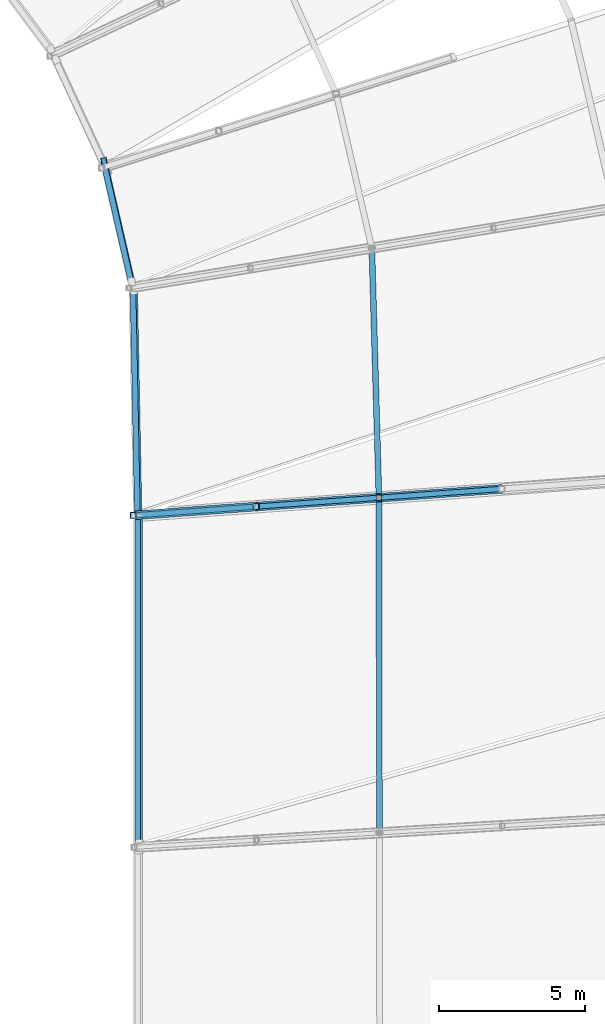
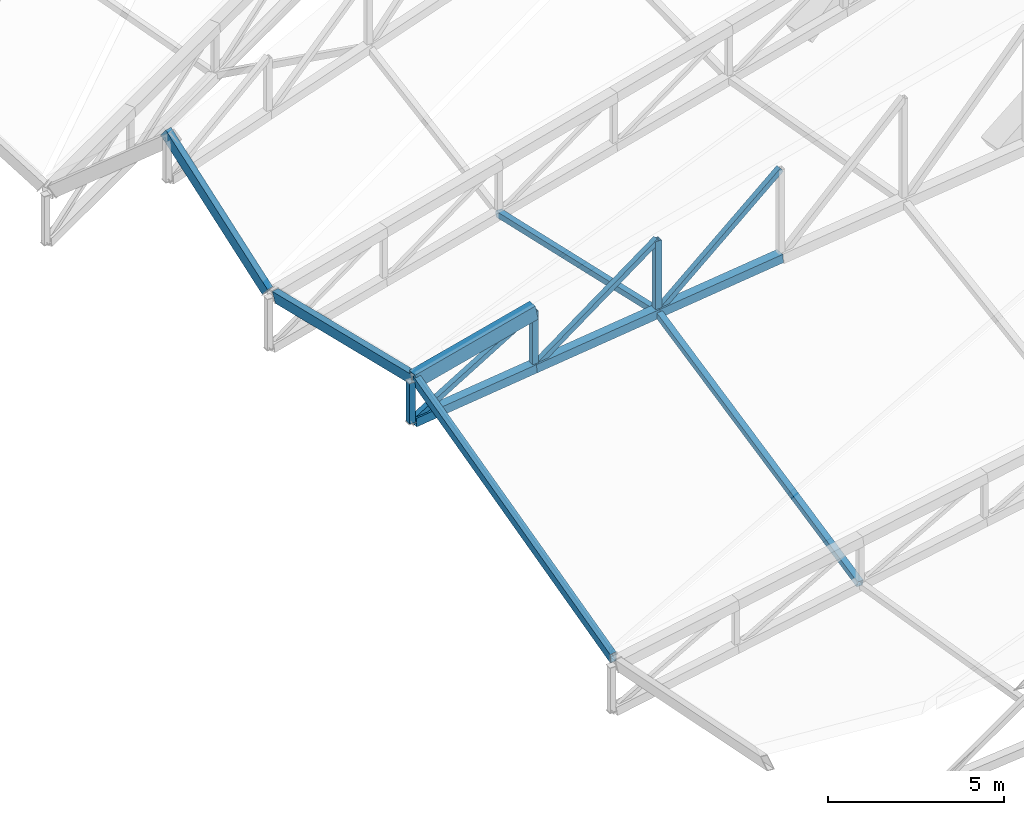
# One storey, part 175 of 344: 12 members, 3 beams.
"""IFC4 building model written with IfcOpenShell, lengths in metres."""

import ifcopenshell
import ifcopenshell.guid

model = None  # the IFC model being written
_history = None  # IfcOwnerHistory: only IFC2X3 demands one
_inside = {}  # id of a spatial element -> (the spatial element, [elements in it])
_under = {}  # id of a project, library or spatial element -> (it, [spatial elements below it])
_declared = {}  # id of a project -> (the project, [libraries it declares])
_typed = {}  # id of a type object -> (the type object, [elements of that type])
_made_of = {}  # id of a material, layer set ... -> (it, [elements and type objects made of it])


def new_model(schema):
    """Start an empty IFC model of exactly this schema.

    Asked for "IFC4X3", IfcOpenShell would pick the latest addendum, in which some entities
    have other attributes; the version numbers below select the first issue.
    IFC2X3 requires an IfcOwnerHistory on every rooted entity: one is made here for all.
    """
    global model, _history
    if schema == "IFC4X3":
        model = ifcopenshell.file(schema_version=(4, 3, 0, 0))
    else:
        model = ifcopenshell.file(schema=schema)
    _inside.clear()
    _under.clear()
    _declared.clear()
    _typed.clear()
    _made_of.clear()
    _history = None
    if model.schema == "IFC2X3":
        org = make("IfcOrganization", Name="unknown")
        user = make(
            "IfcPersonAndOrganization",
            ThePerson=make("IfcPerson", FamilyName="unknown"),
            TheOrganization=org,
        )
        app = make(
            "IfcApplication",
            ApplicationDeveloper=org,
            Version="unknown",
            ApplicationFullName="unknown",
            ApplicationIdentifier="unknown",
        )
        _history = make(
            "IfcOwnerHistory",
            OwningUser=user,
            OwningApplication=app,
            ChangeAction="ADDED",
            CreationDate=0,
        )
    return model


def make(cls, **values):
    """One entity of the class cls with the attributes given. An attribute that is None is left unset."""
    return model.create_entity(
        cls, **{name: value for name, value in values.items() if value is not None}
    )


def rooted(cls, **values):
    """An entity with a GlobalId (a new one), such as an element, a storey or a relation."""
    return make(cls, GlobalId=ifcopenshell.guid.new(), OwnerHistory=_history, **values)


def si_unit(unit_type, name, prefix=None):
    """IfcSIUnit, for example si_unit("LENGTHUNIT", "METRE", prefix="MILLI")."""
    return make("IfcSIUnit", UnitType=unit_type, Prefix=prefix, Name=name)


def assignment(units):
    """IfcUnitAssignment: the units of a project."""
    return None if units is None else make("IfcUnitAssignment", Units=units)


def point(xyz):
    """IfcCartesianPoint."""
    return None if xyz is None else make("IfcCartesianPoint", Coordinates=xyz)


def direction(xyz):
    """IfcDirection."""
    return None if xyz is None else make("IfcDirection", DirectionRatios=xyz)


def frame(location, z_axis=None, x_axis=None):
    """IfcAxis2Placement3D, a coordinate frame: its origin and axes. An axis left out is left unset."""
    return make(
        "IfcAxis2Placement3D",
        Location=point(location),
        Axis=direction(z_axis),
        RefDirection=direction(x_axis),
    )


def frame_2d(location, x_axis=None):
    """IfcAxis2Placement2D, a coordinate frame in the plane: its origin and x axis."""
    return make(
        "IfcAxis2Placement2D", Location=point(location), RefDirection=direction(x_axis)
    )


def origin():
    """The frame at (0, 0, 0) with its axes left unset."""
    return frame((0.0, 0.0, 0.0))


def origin_2d():
    """The frame at (0, 0) in the plane with its x axis left unset."""
    return frame_2d((0.0, 0.0))


def place(relative_to, where):
    """IfcLocalPlacement: puts the frame where relative to a parent placement (None: the world)."""
    return make(
        "IfcLocalPlacement", PlacementRelTo=relative_to, RelativePlacement=where
    )


def context(
    kind, dimensions, precision=None, world=None, true_north=None, identifier=None
):
    """IfcGeometricRepresentationContext, for example the 3D "Model" context."""
    return make(
        "IfcGeometricRepresentationContext",
        ContextIdentifier=identifier,
        ContextType=kind,
        CoordinateSpaceDimension=dimensions,
        Precision=precision,
        WorldCoordinateSystem=world,
        TrueNorth=true_north,
    )


def subcontext(parent, identifier, kind, view, scale=None):
    """IfcGeometricRepresentationSubContext, for example "Body" below "Model"."""
    return make(
        "IfcGeometricRepresentationSubContext",
        ContextIdentifier=identifier,
        ContextType=kind,
        ParentContext=parent,
        TargetScale=scale,
        TargetView=view,
    )


def project(units=None, contexts=None):
    """IfcProject with its units and contexts."""
    return rooted(
        "IfcProject",
        Name="project",
        RepresentationContexts=contexts,
        UnitsInContext=assignment(units),
    )


def spatial(cls, under=None, at=None, **own):
    """A site, building, storey or space (cls), placed at a placement, below another one or the project."""
    s = rooted(cls, ObjectPlacement=at, **own)
    if under is not None:
        _under.setdefault(under.id(), (under, []))[1].append(s)
    return s


def profile(cls, at=None, kind="AREA", **sizes):
    """A parametric profile (cls). Its sizes go by their IFC names, for example OverallWidth=200.0."""
    return make(cls, ProfileType=kind, Position=at, **sizes)


def hollow_rectangle(**sizes):
    """IfcRectangleHollowProfileDef."""
    return profile("IfcRectangleHollowProfileDef", **sizes)


def extrude(swept, where, along, depth):
    """IfcExtrudedAreaSolid: the profile swept, set in the frame where, extruded along a direction by depth."""
    return make(
        "IfcExtrudedAreaSolid",
        SweptArea=swept,
        Position=where,
        ExtrudedDirection=direction(along),
        Depth=depth,
    )


def shape(context_of_items, identifier, shape_type, items):
    """IfcShapeRepresentation: the items that make up one representation, for example the "Body"."""
    return make(
        "IfcShapeRepresentation",
        ContextOfItems=context_of_items,
        RepresentationIdentifier=identifier,
        RepresentationType=shape_type,
        Items=items,
    )


def material(Name=None, Category=None):
    """IfcMaterial."""
    return make("IfcMaterial", Name=Name, Category=Category)


def material_profile(
    of_material, cross_section, Name=None, Category=None, Priority=None
):
    """IfcMaterialProfile: a cross section and its material."""
    return make(
        "IfcMaterialProfile",
        Name=Name,
        Material=of_material,
        Profile=cross_section,
        Priority=Priority,
        Category=Category,
    )


def profile_set(profiles, Name=None, composite=None):
    """IfcMaterialProfileSet."""
    return make(
        "IfcMaterialProfileSet",
        Name=Name,
        MaterialProfiles=profiles,
        CompositeProfile=composite,
    )


def made_of(thing, what):
    """Note that an element or type object is made of a material, layer set ...; save() writes the relation."""
    if what is not None:
        _made_of.setdefault(what.id(), (what, []))[1].append(thing)
    return thing


def type_object(cls, material=None, **own):
    """A type object (cls), such as IfcWallType, which elements share."""
    return made_of(rooted(cls, **own), material)


def element(
    cls,
    number,
    at=None,
    inside=None,
    cuts=None,
    type_object=None,
    material=None,
    context=None,
    identifier="Body",
    shape_type=None,
    held_by="IfcProductDefinitionShape",
    body=None,
    shapes=None,
    **own,
):
    """One element of the class cls, such as IfcWall. Its Tag is "e" and its number.

    at: its placement. inside: the storey or other place that contains it. cuts: it is an
    opening in that element (IfcRelVoidsElement). A single representation is given by context,
    identifier, shape_type and body (its items); several are given by shapes. held_by: the class
    of the entity that holds the representations. save() writes the other relations.
    """
    e = rooted(cls, Tag="e%d" % number, ObjectPlacement=at, **own)
    if body is not None:
        shapes = [shape(context, identifier, shape_type, body)]
    if shapes is not None:
        e.Representation = make(held_by, Representations=shapes)
    if inside is not None:
        _inside.setdefault(inside.id(), (inside, []))[1].append(e)
    if cuts is not None:
        rooted(
            "IfcRelVoidsElement", RelatingBuildingElement=cuts, RelatedOpeningElement=e
        )
    if type_object is not None:
        _typed.setdefault(type_object.id(), (type_object, []))[1].append(e)
    return made_of(e, material)


def aggregate(whole, parts):
    """IfcRelAggregates: a whole, such as a stair, and the parts it consists of."""
    return rooted("IfcRelAggregates", RelatingObject=whole, RelatedObjects=parts)


def save(model, path):
    """Write the relations noted so far, then the file.

    IfcRelAggregates (storeys below a building ...), IfcRelContainedInSpatialStructure (elements
    in a storey), IfcRelDefinesByType, IfcRelAssociatesMaterial and IfcRelDeclares: one each for
    every whole, place, type object, material and project.
    """
    for whole, parts in _under.values():
        aggregate(whole, parts)
    for where, things in _inside.values():
        rooted(
            "IfcRelContainedInSpatialStructure",
            RelatedElements=things,
            RelatingStructure=where,
        )
    for kind, things in _typed.values():
        rooted("IfcRelDefinesByType", RelatedObjects=things, RelatingType=kind)
    for what, things in _made_of.values():
        rooted("IfcRelAssociatesMaterial", RelatedObjects=things, RelatingMaterial=what)
    for by, libraries in _declared.values():
        rooted("IfcRelDeclares", RelatingContext=by, RelatedDefinitions=libraries)
    model.write(path)


model = new_model("IFC4")

# Units and contexts
model_context = context("Model", 3, precision=1e-05, world=origin(), true_north=direction((0.0, 1.0)))
body_context = subcontext(model_context, "Body", "Model", "MODEL_VIEW")
ifc_project = project(units=[si_unit("LENGTHUNIT", "METRE"), si_unit("AREAUNIT", "SQUARE_METRE"), si_unit("VOLUMEUNIT", "CUBIC_METRE"), si_unit("PLANEANGLEUNIT", "RADIAN"), si_unit("MASSUNIT", "GRAM", prefix="KILO")], contexts=[model_context])

# Site, building, storey
site_placement = place(None, origin())
site = spatial("IfcSite", under=ifc_project, at=site_placement, CompositionType="ELEMENT")
building_placement = place(site_placement, origin())
building = spatial("IfcBuilding", under=site, at=building_placement, Name="Meseta Stadium", CompositionType="ELEMENT")
storey_placement = place(building_placement, frame((0.0, 0.0, 24.0)))
storey = spatial("IfcBuildingStorey", under=building, at=storey_placement, Name="L04", CompositionType="ELEMENT", Elevation=24.0)

# Beams
ifc_material_1 = material(Name="Steel S355", Category="steel")
ifc_material_profile_1 = material_profile(ifc_material_1, hollow_rectangle(XDim=0.199951171875, YDim=0.39990234375, WallThickness=0.01611328125, at=origin_2d()), Name="RHS 400x200x16")
ifc_profile_set_1 = profile_set([ifc_material_profile_1], Name="Steel S355")
beam_type = type_object("IfcBeamType", Name="RHS 400x200x16 tip ring beam", PredefinedType="BEAM", material=ifc_profile_set_1)
beam_1_placement = place(storey_placement, frame((47.17138671875, 28.659423828125, 3.2900390625), z_axis=(-0.000719801988, 0.968430063163, 0.249284365026), x_axis=(-0.986486862905, 0.040154812952, -0.158843508876)))
element("IfcBeam", 1, at=beam_1_placement, inside=storey, type_object=beam_type, Name="TIP RING BEAM 08", PredefinedType="BEAM", context=body_context, shape_type="SweptSolid", body=[
    extrude(hollow_rectangle(XDim=0.199951171875, YDim=0.39990234375, WallThickness=0.01611328125, at=origin_2d()), origin(), (0.0, 0.0, 1.0), 11.531982421875),
])
beam_2_placement = place(storey_placement, frame((47.14990234375, 39.860107421875, 6.160888671875), z_axis=(-0.019147324398, 0.976043479067, -0.216731416594), x_axis=(-0.989643734475, -0.049345951541, -0.134797091516)))
element("IfcBeam", 2, at=beam_2_placement, inside=storey, type_object=beam_type, Name="TIP RING BEAM 09", PredefinedType="BEAM", context=body_context, shape_type="SweptSolid", body=[
    extrude(hollow_rectangle(XDim=0.199951171875, YDim=0.39990234375, WallThickness=0.01611328125, at=origin_2d()), origin(), (0.0, 0.0, 1.0), 7.79052734375),
])
beam_3_placement = place(storey_placement, frame((46.92138671875, 47.84619140625, 4.44873046875), z_axis=(-0.175673366111, 0.764201722706, 0.620592132929), x_axis=(-0.982265912359, -0.178022732192, -0.058835229583)))
element("IfcBeam", 3, at=beam_3_placement, inside=storey, type_object=beam_type, Name="TIP RING BEAM 10", PredefinedType="BEAM", context=body_context, shape_type="SweptSolid", body=[
    extrude(hollow_rectangle(XDim=0.199951171875, YDim=0.39990234375, WallThickness=0.01611328125, at=origin_2d()), origin(), (0.0, 0.0, 1.0), 5.406005859375),
])

# Members
ifc_material_2 = material(Name="Steel S355", Category="steel")
ifc_material_profile_2 = material_profile(ifc_material_2, hollow_rectangle(XDim=0.300048828125, YDim=0.5, WallThickness=0.01611328125, at=origin_2d()), Name="RHS 500x300x16")
ifc_profile_set_2 = profile_set([ifc_material_profile_2], Name="Steel S355")
member_type_1 = type_object("IfcMemberType", Name="RHS 500x300x16 top chord", PredefinedType="CHORD", material=ifc_profile_set_2)
member_1_placement = place(storey_placement, frame((47.080322265625, 39.84130859375, 6.174560546875), z_axis=(0.979970819923, 0.070496476362, 0.186245641346), x_axis=(-0.071751904238, 0.997422510393, 0.0)))
element("IfcMember", 4, at=member_1_placement, inside=storey, type_object=member_type_1, Name="ROOF TRUSS RT-08 top chord", PredefinedType="CHORD", context=body_context, shape_type="SweptSolid", body=[
    extrude(hollow_rectangle(XDim=0.300048828125, YDim=0.5, WallThickness=0.01611328125, at=origin_2d()), origin(), (0.0, 0.0, 1.0), 4.197265625),
])
ifc_material_3 = material(Name="Steel S355", Category="steel")
ifc_material_profile_3 = material_profile(ifc_material_3, hollow_rectangle(XDim=0.179931640625, YDim=0.179931640625, WallThickness=0.00634765625, at=origin_2d()), Name="SHS 180x180x6.3")
ifc_profile_set_3 = profile_set([ifc_material_profile_3], Name="Steel S355")
member_type_2 = type_object("IfcMemberType", Name="SHS 180x180x6.3 diagonal", PredefinedType="BRACE", material=ifc_profile_set_3)
member_2_placement = place(storey_placement, frame((46.982421875, 39.834228515625, 4.756103515625), z_axis=(0.884524295796, 0.063638161695, 0.462133048508), x_axis=(-0.071760713601, 0.997421876632, 0.0)))
element("IfcMember", 5, at=member_2_placement, inside=storey, type_object=member_type_2, Name="ROOF TRUSS RT-08 diagonal", PredefinedType="BRACE", context=body_context, shape_type="SweptSolid", body=[
    extrude(hollow_rectangle(XDim=0.179931640625, YDim=0.179931640625, WallThickness=0.00634765625, at=origin_2d()), origin(), (0.0, 0.0, 1.0), 4.760986328125),
])
member_3_placement = place(storey_placement, frame((51.193603515625, 40.13720703125, 5.00830078125), z_axis=(0.835939275452, 0.060139167585, 0.545517010073), x_axis=(-0.07175657498, 0.997422174381, 0.0)))
element("IfcMember", 6, at=member_3_placement, inside=storey, type_object=member_type_2, Name="ROOF TRUSS RT-08 diagonal", PredefinedType="BRACE", context=body_context, shape_type="SweptSolid", body=[
    extrude(hollow_rectangle(XDim=0.179931640625, YDim=0.179931640625, WallThickness=0.00634765625, at=origin_2d()), origin(), (0.0, 0.0, 1.0), 5.037841796875),
])
member_4_placement = place(storey_placement, frame((55.405029296875, 40.440185546875, 5.26025390625), z_axis=(0.78615859924, 0.056606700693, 0.615426956086), x_axis=(-0.071818240378, 0.997417736131, 0.0)))
element("IfcMember", 7, at=member_4_placement, inside=storey, type_object=member_type_2, Name="ROOF TRUSS RT-08 diagonal", PredefinedType="BRACE", context=body_context, shape_type="SweptSolid", body=[
    extrude(hollow_rectangle(XDim=0.179931640625, YDim=0.179931640625, WallThickness=0.00634765625, at=origin_2d()), origin(), (0.0, 0.0, 1.0), 5.356689453125),
])
ifc_material_4 = material(Name="Steel S355", Category="steel")
ifc_material_profile_4 = material_profile(ifc_material_4, hollow_rectangle(XDim=0.199951171875, YDim=0.199951171875, WallThickness=0.008056640625, at=origin_2d()), Name="SHS 200x200x8")
ifc_profile_set_4 = profile_set([ifc_material_profile_4], Name="Steel S355")
member_type_3 = type_object("IfcMemberType", Name="SHS 200x200x8 post", PredefinedType="POST", material=ifc_profile_set_4)
member_5_placement = place(storey_placement, frame((51.193603515625, 40.13720703125, 5.00830078125), z_axis=(0.0, 0.0, 1.0), x_axis=(1.0, 0.0, 0.0)))
element("IfcMember", 8, at=member_5_placement, inside=storey, type_object=member_type_3, Name="ROOF TRUSS RT-08 post", PredefinedType="POST", context=body_context, shape_type="SweptSolid", body=[
    extrude(hollow_rectangle(XDim=0.199951171875, YDim=0.199951171875, WallThickness=0.008056640625, at=origin_2d()), origin(), (0.0, 0.0, 1.0), 1.947998046875),
])
member_6_placement = place(storey_placement, frame((55.405029296875, 40.440185546875, 5.26025390625), z_axis=(0.0, 0.0, 1.0), x_axis=(1.0, 0.0, 0.0)))
element("IfcMember", 9, at=member_6_placement, inside=storey, type_object=member_type_3, Name="ROOF TRUSS RT-08 post", PredefinedType="POST", context=body_context, shape_type="SweptSolid", body=[
    extrude(hollow_rectangle(XDim=0.199951171875, YDim=0.199951171875, WallThickness=0.008056640625, at=origin_2d()), origin(), (0.0, 0.0, 1.0), 2.496337890625),
])
ifc_material_5 = material(Name="Steel S355", Category="steel")
ifc_material_profile_5 = material_profile(ifc_material_5, hollow_rectangle(XDim=0.199951171875, YDim=0.199951171875, WallThickness=0.008056640625, at=origin_2d()), Name="SHS 200x200x8")
ifc_profile_set_5 = profile_set([ifc_material_profile_5], Name="Steel S355")
member_type_4 = type_object("IfcMemberType", Name="SHS 200x200x8 rim post", PredefinedType="POST", material=ifc_profile_set_5)
member_7_placement = place(storey_placement, frame((46.982421875, 39.834228515625, 4.756103515625), z_axis=(0.0, 0.0, 1.0), x_axis=(1.0, 0.0, 0.0)))
element("IfcMember", 10, at=member_7_placement, inside=storey, type_object=member_type_4, Name="ROOF TRUSS RT-08 post", PredefinedType="POST", context=body_context, shape_type="SweptSolid", body=[
    extrude(hollow_rectangle(XDim=0.199951171875, YDim=0.199951171875, WallThickness=0.008056640625, at=origin_2d()), origin(), (0.0, 0.0, 1.0), 1.39990234375),
])
ifc_material_6 = material(Name="Steel S355", Category="steel")
ifc_material_profile_6 = material_profile(ifc_material_6, hollow_rectangle(XDim=0.199951171875, YDim=0.199951171875, WallThickness=0.008056640625, at=origin_2d()), Name="SHS 200x200x8")
ifc_profile_set_6 = profile_set([ifc_material_profile_6], Name="Steel S355")
member_type_5 = type_object("IfcMemberType", Name="SHS 200x200x8 strut", PredefinedType="STRUT", material=ifc_profile_set_6)
member_8_placement = place(storey_placement, frame((55.4208984375, 28.94873046875, 2.7900390625), z_axis=(-0.001350109277, 0.977666054928, 0.210160087186), x_axis=(-0.999999046488, -0.001380950053, 0.0)))
element("IfcMember", 11, at=member_8_placement, inside=storey, type_object=member_type_5, Name="ROOF TRUSS STRUT RT-07/08", PredefinedType="STRUT", context=body_context, shape_type="SweptSolid", body=[
    extrude(hollow_rectangle(XDim=0.199951171875, YDim=0.199951171875, WallThickness=0.008056640625, at=origin_2d()), origin(), (0.0, 0.0, 1.0), 11.75390625),
])
member_9_placement = place(storey_placement, frame((55.405029296875, 40.440185546875, 5.26025390625), z_axis=(-0.027839682845, 0.980482324117, -0.194626216512), x_axis=(-0.99959713779, -0.028382426285, 0.0)))
element("IfcMember", 12, at=member_9_placement, inside=storey, type_object=member_type_5, Name="ROOF TRUSS STRUT RT-08/09", PredefinedType="STRUT", context=body_context, shape_type="SweptSolid", body=[
    extrude(hollow_rectangle(XDim=0.199951171875, YDim=0.199951171875, WallThickness=0.008056640625, at=origin_2d()), origin(), (0.0, 0.0, 1.0), 8.734375),
])
ifc_material_7 = material(Name="Steel S355", Category="steel")
ifc_material_profile_7 = material_profile(ifc_material_7, hollow_rectangle(XDim=0.300048828125, YDim=0.300048828125, WallThickness=0.010009765625, at=origin_2d()), Name="SHS 300x300x10")
ifc_profile_set_7 = profile_set([ifc_material_profile_7], Name="Steel S355")
member_type_6 = type_object("IfcMemberType", Name="SHS 300x300x10 bottom chord", PredefinedType="CHORD", material=ifc_profile_set_7)
member_10_placement = place(storey_placement, frame((47.08203125, 39.84130859375, 4.761962890625), z_axis=(0.995644183154, 0.071653746807, 0.05965233542), x_axis=(-0.071781574442, 0.997420375554, 0.0)))
element("IfcMember", 13, at=member_10_placement, inside=storey, type_object=member_type_6, Name="ROOF TRUSS RT-08 bottom chord", PredefinedType="CHORD", context=body_context, shape_type="SweptSolid", body=[
    extrude(hollow_rectangle(XDim=0.300048828125, YDim=0.300048828125, WallThickness=0.010009765625, at=origin_2d()), origin(), (0.0, 0.0, 1.0), 4.129638671875),
])
member_11_placement = place(storey_placement, frame((51.193603515625, 40.13720703125, 5.00830078125), z_axis=(0.995651126342, 0.071629162191, 0.059565910863), x_axis=(-0.07175657498, 0.997422174381, 0.0)))
element("IfcMember", 14, at=member_11_placement, inside=storey, type_object=member_type_6, Name="ROOF TRUSS RT-08 bottom chord", PredefinedType="CHORD", context=body_context, shape_type="SweptSolid", body=[
    extrude(hollow_rectangle(XDim=0.300048828125, YDim=0.300048828125, WallThickness=0.010009765625, at=origin_2d()), origin(), (0.0, 0.0, 1.0), 4.229736328125),
])
member_12_placement = place(storey_placement, frame((55.405029296875, 40.440185546875, 5.26025390625), z_axis=(0.995643081767, 0.071690457856, 0.059626604642), x_axis=(-0.071818240378, 0.997417736131, 0.0)))
element("IfcMember", 15, at=member_12_placement, inside=storey, type_object=member_type_6, Name="ROOF TRUSS RT-08 bottom chord", PredefinedType="CHORD", context=body_context, shape_type="SweptSolid", body=[
    extrude(hollow_rectangle(XDim=0.300048828125, YDim=0.300048828125, WallThickness=0.010009765625, at=origin_2d()), origin(), (0.0, 0.0, 1.0), 4.2294921875),
])

save(model, "model.ifc")
